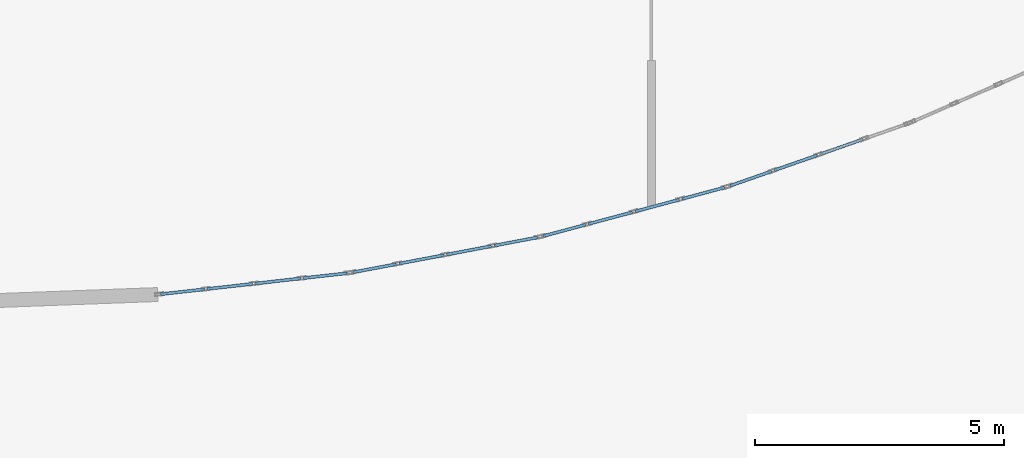
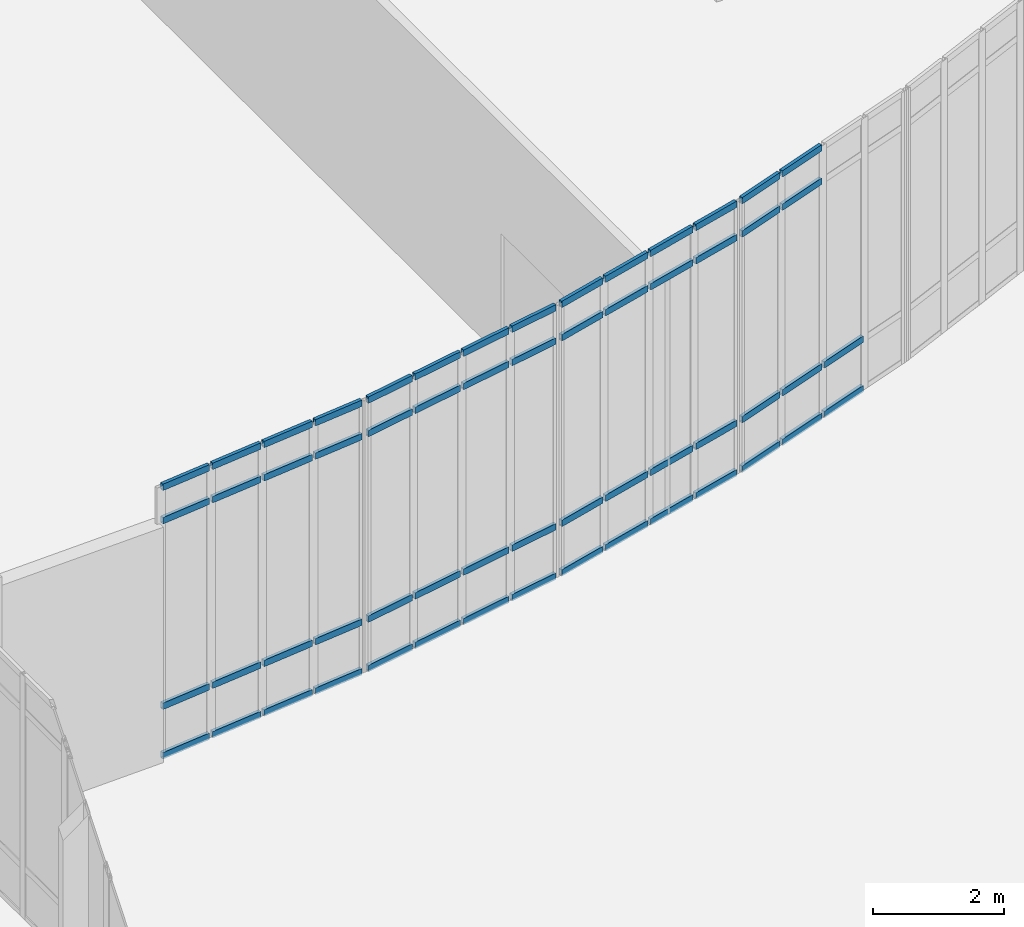
# One storey, part 68 of 110: 58 members, 4 elements without a shape of their own.
"""IFC4 building model written with IfcOpenShell, lengths in metres."""

from ifc_helpers import new_model, si_unit, direction, frame, origin, origin_2d, place, context, subcontext, project, spatial, hollow_rectangle, extrude, material, material_profile, profile_set, type_object, element, aggregate, save


model = new_model("IFC4")

# Units and contexts
model_context = context("Model", 3, precision=1e-05, world=origin(), true_north=direction((0.0, 1.0)))
body_context = subcontext(model_context, "Body", "Model", "MODEL_VIEW")
ifc_project = project(units=[si_unit("LENGTHUNIT", "METRE"), si_unit("AREAUNIT", "SQUARE_METRE"), si_unit("VOLUMEUNIT", "CUBIC_METRE"), si_unit("PLANEANGLEUNIT", "RADIAN"), si_unit("MASSUNIT", "GRAM", prefix="KILO")], contexts=[model_context])

# Site, building, storey
site_placement = place(None, origin())
site = spatial("IfcSite", under=ifc_project, at=site_placement, CompositionType="ELEMENT")
building_placement = place(site_placement, origin())
building = spatial("IfcBuilding", under=site, at=building_placement, Name="Kalluvel Institute of Natural Sciences", CompositionType="ELEMENT")
storey_placement = place(building_placement, origin())
storey = spatial("IfcBuildingStorey", under=building, at=storey_placement, Name="L00", CompositionType="ELEMENT", Elevation=0.0)

# Curtain wall, members
ifc_material = material(Name="Aluminium AW-6063 T6", Category="aluminium")
curtain_wall_type = type_object("IfcCurtainWallType", Name="CW-ATR-L00", PredefinedType="USERDEFINED", material=ifc_material)
curtain_wall_1_placement = place(storey_placement, origin())
curtain_wall_1 = element("IfcCurtainWall", 1, at=curtain_wall_1_placement, inside=storey, type_object=curtain_wall_type, Name="L00 Gothic lancet curtain wall CWA-L00-X395-Y509", ObjectType="UNITISED LANCET FACADE", PredefinedType="USERDEFINED")
ifc_material_profile = material_profile(ifc_material, hollow_rectangle(XDim=0.06005859375, YDim=0.1201171875, WallThickness=0.00390625, at=origin_2d()), Name="CWT 60x120")
ifc_profile_set = profile_set([ifc_material_profile], Name="Aluminium AW-6063 T6")
member_type = type_object("IfcMemberType", Name="CWT-60x120", PredefinedType="USERDEFINED", material=ifc_profile_set)
member_1_placement = place(storey_placement, frame((39.545654296875, 50.9521484375, 0.030029296875), z_axis=(0.99372747166, 0.1118289411, 0.0), x_axis=(-0.1118289411, 0.99372747166, 0.0)))
member_1 = element("IfcMember", 2, at=member_1_placement, type_object=member_type, Name="CW-06 transom 1.1", ObjectType="TRANSOM", PredefinedType="USERDEFINED", context=body_context, shape_type="SweptSolid", body=[
    extrude(hollow_rectangle(XDim=0.06005859375, YDim=0.1201171875, WallThickness=0.00390625, at=origin_2d()), origin(), (0.0, 0.0, 1.0), 0.882080078125),
])
member_2_placement = place(storey_placement, frame((39.545654296875, 50.9521484375, 0.949951171875), z_axis=(0.99372747166, 0.1118289411, 0.0), x_axis=(-0.1118289411, 0.99372747166, 0.0)))
member_2 = element("IfcMember", 3, at=member_2_placement, type_object=member_type, Name="CW-06 transom 1.2", ObjectType="TRANSOM", PredefinedType="USERDEFINED", context=body_context, shape_type="SweptSolid", body=[
    extrude(hollow_rectangle(XDim=0.06005859375, YDim=0.1201171875, WallThickness=0.00390625, at=origin_2d()), origin(), (0.0, 0.0, 1.0), 0.882080078125),
])
member_3_placement = place(storey_placement, frame((39.545654296875, 50.9521484375, 4.39990234375), z_axis=(0.99372747166, 0.1118289411, 0.0), x_axis=(-0.1118289411, 0.99372747166, 0.0)))
member_3 = element("IfcMember", 4, at=member_3_placement, type_object=member_type, Name="CW-06 transom 1.3", ObjectType="TRANSOM", PredefinedType="USERDEFINED", context=body_context, shape_type="SweptSolid", body=[
    extrude(hollow_rectangle(XDim=0.06005859375, YDim=0.1201171875, WallThickness=0.00390625, at=origin_2d()), origin(), (0.0, 0.0, 1.0), 0.882080078125),
])
member_4_placement = place(storey_placement, frame((39.545654296875, 50.9521484375, 5.02001953125), z_axis=(0.99372747166, 0.1118289411, 0.0), x_axis=(-0.1118289411, 0.99372747166, 0.0)))
member_4 = element("IfcMember", 5, at=member_4_placement, type_object=member_type, Name="CW-06 transom 1.4", ObjectType="TRANSOM", PredefinedType="USERDEFINED", context=body_context, shape_type="SweptSolid", body=[
    extrude(hollow_rectangle(XDim=0.06005859375, YDim=0.1201171875, WallThickness=0.00390625, at=origin_2d()), origin(), (0.0, 0.0, 1.0), 0.882080078125),
])
member_5_placement = place(storey_placement, frame((40.48193359375, 51.0576171875, 0.030029296875), z_axis=(0.993719414387, 0.111900515952, 0.0), x_axis=(-0.111900515952, 0.993719414387, 0.0)))
member_5 = element("IfcMember", 6, at=member_5_placement, type_object=member_type, Name="CW-06 transom 2.1", ObjectType="TRANSOM", PredefinedType="USERDEFINED", context=body_context, shape_type="SweptSolid", body=[
    extrude(hollow_rectangle(XDim=0.06005859375, YDim=0.1201171875, WallThickness=0.00390625, at=origin_2d()), origin(), (0.0, 0.0, 1.0), 0.911865234375),
])
member_6_placement = place(storey_placement, frame((40.48193359375, 51.0576171875, 0.949951171875), z_axis=(0.993719414387, 0.111900515952, 0.0), x_axis=(-0.111900515952, 0.993719414387, 0.0)))
member_6 = element("IfcMember", 7, at=member_6_placement, type_object=member_type, Name="CW-06 transom 2.2", ObjectType="TRANSOM", PredefinedType="USERDEFINED", context=body_context, shape_type="SweptSolid", body=[
    extrude(hollow_rectangle(XDim=0.06005859375, YDim=0.1201171875, WallThickness=0.00390625, at=origin_2d()), origin(), (0.0, 0.0, 1.0), 0.911865234375),
])
member_7_placement = place(storey_placement, frame((40.48193359375, 51.0576171875, 4.39990234375), z_axis=(0.993719414387, 0.111900515952, 0.0), x_axis=(-0.111900515952, 0.993719414387, 0.0)))
member_7 = element("IfcMember", 8, at=member_7_placement, type_object=member_type, Name="CW-06 transom 2.3", ObjectType="TRANSOM", PredefinedType="USERDEFINED", context=body_context, shape_type="SweptSolid", body=[
    extrude(hollow_rectangle(XDim=0.06005859375, YDim=0.1201171875, WallThickness=0.00390625, at=origin_2d()), origin(), (0.0, 0.0, 1.0), 0.911865234375),
])
member_8_placement = place(storey_placement, frame((40.48193359375, 51.0576171875, 5.02001953125), z_axis=(0.993719414387, 0.111900515952, 0.0), x_axis=(-0.111900515952, 0.993719414387, 0.0)))
member_8 = element("IfcMember", 9, at=member_8_placement, type_object=member_type, Name="CW-06 transom 2.4", ObjectType="TRANSOM", PredefinedType="USERDEFINED", context=body_context, shape_type="SweptSolid", body=[
    extrude(hollow_rectangle(XDim=0.06005859375, YDim=0.1201171875, WallThickness=0.00390625, at=origin_2d()), origin(), (0.0, 0.0, 1.0), 0.911865234375),
])
member_9_placement = place(storey_placement, frame((41.447998046875, 51.16650390625, 0.030029296875), z_axis=(0.993719414387, 0.111900515952, 0.0), x_axis=(-0.111900515952, 0.993719414387, 0.0)))
member_9 = element("IfcMember", 10, at=member_9_placement, type_object=member_type, Name="CW-06 transom 3.1", ObjectType="TRANSOM", PredefinedType="USERDEFINED", context=body_context, shape_type="SweptSolid", body=[
    extrude(hollow_rectangle(XDim=0.06005859375, YDim=0.1201171875, WallThickness=0.00390625, at=origin_2d()), origin(), (0.0, 0.0, 1.0), 0.911865234375),
])
member_10_placement = place(storey_placement, frame((41.447998046875, 51.16650390625, 0.949951171875), z_axis=(0.993719414387, 0.111900515952, 0.0), x_axis=(-0.111900515952, 0.993719414387, 0.0)))
member_10 = element("IfcMember", 11, at=member_10_placement, type_object=member_type, Name="CW-06 transom 3.2", ObjectType="TRANSOM", PredefinedType="USERDEFINED", context=body_context, shape_type="SweptSolid", body=[
    extrude(hollow_rectangle(XDim=0.06005859375, YDim=0.1201171875, WallThickness=0.00390625, at=origin_2d()), origin(), (0.0, 0.0, 1.0), 0.911865234375),
])
member_11_placement = place(storey_placement, frame((41.447998046875, 51.16650390625, 4.39990234375), z_axis=(0.993719414387, 0.111900515952, 0.0), x_axis=(-0.111900515952, 0.993719414387, 0.0)))
member_11 = element("IfcMember", 12, at=member_11_placement, type_object=member_type, Name="CW-06 transom 3.3", ObjectType="TRANSOM", PredefinedType="USERDEFINED", context=body_context, shape_type="SweptSolid", body=[
    extrude(hollow_rectangle(XDim=0.06005859375, YDim=0.1201171875, WallThickness=0.00390625, at=origin_2d()), origin(), (0.0, 0.0, 1.0), 0.911865234375),
])
member_12_placement = place(storey_placement, frame((41.447998046875, 51.16650390625, 5.02001953125), z_axis=(0.993719414387, 0.111900515952, 0.0), x_axis=(-0.111900515952, 0.993719414387, 0.0)))
member_12 = element("IfcMember", 13, at=member_12_placement, type_object=member_type, Name="CW-06 transom 3.4", ObjectType="TRANSOM", PredefinedType="USERDEFINED", context=body_context, shape_type="SweptSolid", body=[
    extrude(hollow_rectangle(XDim=0.06005859375, YDim=0.1201171875, WallThickness=0.00390625, at=origin_2d()), origin(), (0.0, 0.0, 1.0), 0.911865234375),
])
member_13_placement = place(storey_placement, frame((42.4140625, 51.275390625, 0.030029296875), z_axis=(0.99372747166, 0.1118289411, 0.0), x_axis=(-0.1118289411, 0.99372747166, 0.0)))
member_13 = element("IfcMember", 14, at=member_13_placement, type_object=member_type, Name="CW-06 transom 4.1", ObjectType="TRANSOM", PredefinedType="USERDEFINED", context=body_context, shape_type="SweptSolid", body=[
    extrude(hollow_rectangle(XDim=0.06005859375, YDim=0.1201171875, WallThickness=0.00390625, at=origin_2d()), origin(), (0.0, 0.0, 1.0), 0.882080078125),
])
member_14_placement = place(storey_placement, frame((42.4140625, 51.275390625, 0.949951171875), z_axis=(0.99372747166, 0.1118289411, 0.0), x_axis=(-0.1118289411, 0.99372747166, 0.0)))
member_14 = element("IfcMember", 15, at=member_14_placement, type_object=member_type, Name="CW-06 transom 4.2", ObjectType="TRANSOM", PredefinedType="USERDEFINED", context=body_context, shape_type="SweptSolid", body=[
    extrude(hollow_rectangle(XDim=0.06005859375, YDim=0.1201171875, WallThickness=0.00390625, at=origin_2d()), origin(), (0.0, 0.0, 1.0), 0.882080078125),
])
member_15_placement = place(storey_placement, frame((42.4140625, 51.275390625, 4.39990234375), z_axis=(0.99372747166, 0.1118289411, 0.0), x_axis=(-0.1118289411, 0.99372747166, 0.0)))
member_15 = element("IfcMember", 16, at=member_15_placement, type_object=member_type, Name="CW-06 transom 4.3", ObjectType="TRANSOM", PredefinedType="USERDEFINED", context=body_context, shape_type="SweptSolid", body=[
    extrude(hollow_rectangle(XDim=0.06005859375, YDim=0.1201171875, WallThickness=0.00390625, at=origin_2d()), origin(), (0.0, 0.0, 1.0), 0.882080078125),
])
member_16_placement = place(storey_placement, frame((42.4140625, 51.275390625, 5.02001953125), z_axis=(0.99372747166, 0.1118289411, 0.0), x_axis=(-0.1118289411, 0.99372747166, 0.0)))
member_16 = element("IfcMember", 17, at=member_16_placement, type_object=member_type, Name="CW-06 transom 4.4", ObjectType="TRANSOM", PredefinedType="USERDEFINED", context=body_context, shape_type="SweptSolid", body=[
    extrude(hollow_rectangle(XDim=0.06005859375, YDim=0.1201171875, WallThickness=0.00390625, at=origin_2d()), origin(), (0.0, 0.0, 1.0), 0.882080078125),
])
aggregate(curtain_wall_1, [member_1, member_2, member_3, member_4, member_5, member_6, member_7, member_8, member_9, member_10, member_11, member_12, member_13, member_14, member_15, member_16])

curtain_wall_2_placement = place(storey_placement, origin())
curtain_wall_2 = element("IfcCurtainWall", 18, at=curtain_wall_2_placement, inside=storey, type_object=curtain_wall_type, Name="L00 Gothic lancet curtain wall CWA-L00-X434-Y514", ObjectType="UNITISED LANCET FACADE", PredefinedType="USERDEFINED")
member_17_placement = place(storey_placement, frame((43.4091796875, 51.391845703125, 0.030029296875), z_axis=(0.982551112183, 0.185992773912, 0.0), x_axis=(-0.185992773912, 0.982551112183, 0.0)))
member_17 = element("IfcMember", 19, at=member_17_placement, type_object=member_type, Name="CW-06 transom 1.1", ObjectType="TRANSOM", PredefinedType="USERDEFINED", context=body_context, shape_type="SweptSolid", body=[
    extrude(hollow_rectangle(XDim=0.06005859375, YDim=0.1201171875, WallThickness=0.00390625, at=origin_2d()), origin(), (0.0, 0.0, 1.0), 0.882080078125),
])
member_18_placement = place(storey_placement, frame((43.4091796875, 51.391845703125, 0.949951171875), z_axis=(0.982551112183, 0.185992773912, 0.0), x_axis=(-0.185992773912, 0.982551112183, 0.0)))
member_18 = element("IfcMember", 20, at=member_18_placement, type_object=member_type, Name="CW-06 transom 1.2", ObjectType="TRANSOM", PredefinedType="USERDEFINED", context=body_context, shape_type="SweptSolid", body=[
    extrude(hollow_rectangle(XDim=0.06005859375, YDim=0.1201171875, WallThickness=0.00390625, at=origin_2d()), origin(), (0.0, 0.0, 1.0), 0.882080078125),
])
member_19_placement = place(storey_placement, frame((43.4091796875, 51.391845703125, 4.39990234375), z_axis=(0.982551112183, 0.185992773912, 0.0), x_axis=(-0.185992773912, 0.982551112183, 0.0)))
member_19 = element("IfcMember", 21, at=member_19_placement, type_object=member_type, Name="CW-06 transom 1.3", ObjectType="TRANSOM", PredefinedType="USERDEFINED", context=body_context, shape_type="SweptSolid", body=[
    extrude(hollow_rectangle(XDim=0.06005859375, YDim=0.1201171875, WallThickness=0.00390625, at=origin_2d()), origin(), (0.0, 0.0, 1.0), 0.882080078125),
])
member_20_placement = place(storey_placement, frame((43.4091796875, 51.391845703125, 5.02001953125), z_axis=(0.982551112183, 0.185992773912, 0.0), x_axis=(-0.185992773912, 0.982551112183, 0.0)))
member_20 = element("IfcMember", 22, at=member_20_placement, type_object=member_type, Name="CW-06 transom 1.4", ObjectType="TRANSOM", PredefinedType="USERDEFINED", context=body_context, shape_type="SweptSolid", body=[
    extrude(hollow_rectangle(XDim=0.06005859375, YDim=0.1201171875, WallThickness=0.00390625, at=origin_2d()), origin(), (0.0, 0.0, 1.0), 0.882080078125),
])
member_21_placement = place(storey_placement, frame((44.3349609375, 51.567138671875, 0.030029296875), z_axis=(0.982595342054, 0.185758966872, 0.0), x_axis=(-0.185758966872, 0.982595342054, 0.0)))
member_21 = element("IfcMember", 23, at=member_21_placement, type_object=member_type, Name="CW-06 transom 2.1", ObjectType="TRANSOM", PredefinedType="USERDEFINED", context=body_context, shape_type="SweptSolid", body=[
    extrude(hollow_rectangle(XDim=0.06005859375, YDim=0.1201171875, WallThickness=0.00390625, at=origin_2d()), origin(), (0.0, 0.0, 1.0), 0.912109375),
])
member_22_placement = place(storey_placement, frame((44.3349609375, 51.567138671875, 0.949951171875), z_axis=(0.982595342054, 0.185758966872, 0.0), x_axis=(-0.185758966872, 0.982595342054, 0.0)))
member_22 = element("IfcMember", 24, at=member_22_placement, type_object=member_type, Name="CW-06 transom 2.2", ObjectType="TRANSOM", PredefinedType="USERDEFINED", context=body_context, shape_type="SweptSolid", body=[
    extrude(hollow_rectangle(XDim=0.06005859375, YDim=0.1201171875, WallThickness=0.00390625, at=origin_2d()), origin(), (0.0, 0.0, 1.0), 0.912109375),
])
member_23_placement = place(storey_placement, frame((44.3349609375, 51.567138671875, 4.39990234375), z_axis=(0.982595342054, 0.185758966872, 0.0), x_axis=(-0.185758966872, 0.982595342054, 0.0)))
member_23 = element("IfcMember", 25, at=member_23_placement, type_object=member_type, Name="CW-06 transom 2.3", ObjectType="TRANSOM", PredefinedType="USERDEFINED", context=body_context, shape_type="SweptSolid", body=[
    extrude(hollow_rectangle(XDim=0.06005859375, YDim=0.1201171875, WallThickness=0.00390625, at=origin_2d()), origin(), (0.0, 0.0, 1.0), 0.912109375),
])
member_24_placement = place(storey_placement, frame((44.3349609375, 51.567138671875, 5.02001953125), z_axis=(0.982595342054, 0.185758966872, 0.0), x_axis=(-0.185758966872, 0.982595342054, 0.0)))
member_24 = element("IfcMember", 26, at=member_24_placement, type_object=member_type, Name="CW-06 transom 2.4", ObjectType="TRANSOM", PredefinedType="USERDEFINED", context=body_context, shape_type="SweptSolid", body=[
    extrude(hollow_rectangle(XDim=0.06005859375, YDim=0.1201171875, WallThickness=0.00390625, at=origin_2d()), origin(), (0.0, 0.0, 1.0), 0.912109375),
])
member_25_placement = place(storey_placement, frame((45.2900390625, 51.747802734375, 0.030029296875), z_axis=(0.982546454853, 0.18601737568, 0.0), x_axis=(-0.18601737568, 0.982546454853, 0.0)))
member_25 = element("IfcMember", 27, at=member_25_placement, type_object=member_type, Name="CW-06 transom 3.1", ObjectType="TRANSOM", PredefinedType="USERDEFINED", context=body_context, shape_type="SweptSolid", body=[
    extrude(hollow_rectangle(XDim=0.06005859375, YDim=0.1201171875, WallThickness=0.00390625, at=origin_2d()), origin(), (0.0, 0.0, 1.0), 0.912109375),
])
member_26_placement = place(storey_placement, frame((45.2900390625, 51.747802734375, 0.949951171875), z_axis=(0.982546454853, 0.18601737568, 0.0), x_axis=(-0.18601737568, 0.982546454853, 0.0)))
member_26 = element("IfcMember", 28, at=member_26_placement, type_object=member_type, Name="CW-06 transom 3.2", ObjectType="TRANSOM", PredefinedType="USERDEFINED", context=body_context, shape_type="SweptSolid", body=[
    extrude(hollow_rectangle(XDim=0.06005859375, YDim=0.1201171875, WallThickness=0.00390625, at=origin_2d()), origin(), (0.0, 0.0, 1.0), 0.912109375),
])
member_27_placement = place(storey_placement, frame((45.2900390625, 51.747802734375, 4.39990234375), z_axis=(0.982546454853, 0.18601737568, 0.0), x_axis=(-0.18601737568, 0.982546454853, 0.0)))
member_27 = element("IfcMember", 29, at=member_27_placement, type_object=member_type, Name="CW-06 transom 3.3", ObjectType="TRANSOM", PredefinedType="USERDEFINED", context=body_context, shape_type="SweptSolid", body=[
    extrude(hollow_rectangle(XDim=0.06005859375, YDim=0.1201171875, WallThickness=0.00390625, at=origin_2d()), origin(), (0.0, 0.0, 1.0), 0.912109375),
])
member_28_placement = place(storey_placement, frame((45.2900390625, 51.747802734375, 5.02001953125), z_axis=(0.982546454853, 0.18601737568, 0.0), x_axis=(-0.18601737568, 0.982546454853, 0.0)))
member_28 = element("IfcMember", 30, at=member_28_placement, type_object=member_type, Name="CW-06 transom 3.4", ObjectType="TRANSOM", PredefinedType="USERDEFINED", context=body_context, shape_type="SweptSolid", body=[
    extrude(hollow_rectangle(XDim=0.06005859375, YDim=0.1201171875, WallThickness=0.00390625, at=origin_2d()), origin(), (0.0, 0.0, 1.0), 0.912109375),
])
member_29_placement = place(storey_placement, frame((46.245361328125, 51.928466796875, 0.030029296875), z_axis=(0.982551112183, 0.185992773912, 0.0), x_axis=(-0.185992773912, 0.982551112183, 0.0)))
member_29 = element("IfcMember", 31, at=member_29_placement, type_object=member_type, Name="CW-06 transom 4.1", ObjectType="TRANSOM", PredefinedType="USERDEFINED", context=body_context, shape_type="SweptSolid", body=[
    extrude(hollow_rectangle(XDim=0.06005859375, YDim=0.1201171875, WallThickness=0.00390625, at=origin_2d()), origin(), (0.0, 0.0, 1.0), 0.882080078125),
])
member_30_placement = place(storey_placement, frame((46.245361328125, 51.928466796875, 0.949951171875), z_axis=(0.982551112183, 0.185992773912, 0.0), x_axis=(-0.185992773912, 0.982551112183, 0.0)))
member_30 = element("IfcMember", 32, at=member_30_placement, type_object=member_type, Name="CW-06 transom 4.2", ObjectType="TRANSOM", PredefinedType="USERDEFINED", context=body_context, shape_type="SweptSolid", body=[
    extrude(hollow_rectangle(XDim=0.06005859375, YDim=0.1201171875, WallThickness=0.00390625, at=origin_2d()), origin(), (0.0, 0.0, 1.0), 0.882080078125),
])
member_31_placement = place(storey_placement, frame((46.245361328125, 51.928466796875, 4.39990234375), z_axis=(0.982551112183, 0.185992773912, 0.0), x_axis=(-0.185992773912, 0.982551112183, 0.0)))
member_31 = element("IfcMember", 33, at=member_31_placement, type_object=member_type, Name="CW-06 transom 4.3", ObjectType="TRANSOM", PredefinedType="USERDEFINED", context=body_context, shape_type="SweptSolid", body=[
    extrude(hollow_rectangle(XDim=0.06005859375, YDim=0.1201171875, WallThickness=0.00390625, at=origin_2d()), origin(), (0.0, 0.0, 1.0), 0.882080078125),
])
member_32_placement = place(storey_placement, frame((46.245361328125, 51.928466796875, 5.02001953125), z_axis=(0.982551112183, 0.185992773912, 0.0), x_axis=(-0.185992773912, 0.982551112183, 0.0)))
member_32 = element("IfcMember", 34, at=member_32_placement, type_object=member_type, Name="CW-06 transom 4.4", ObjectType="TRANSOM", PredefinedType="USERDEFINED", context=body_context, shape_type="SweptSolid", body=[
    extrude(hollow_rectangle(XDim=0.06005859375, YDim=0.1201171875, WallThickness=0.00390625, at=origin_2d()), origin(), (0.0, 0.0, 1.0), 0.882080078125),
])
aggregate(curtain_wall_2, [member_17, member_18, member_19, member_20, member_21, member_22, member_23, member_24, member_25, member_26, member_27, member_28, member_29, member_30, member_31, member_32])

curtain_wall_3_placement = place(storey_placement, origin())
curtain_wall_3 = element("IfcCurtainWall", 35, at=curtain_wall_3_placement, inside=storey, type_object=curtain_wall_type, Name="L00 Gothic lancet curtain wall CWA-L00-X472-Y521", ObjectType="UNITISED LANCET FACADE", PredefinedType="USERDEFINED")
member_33_placement = place(storey_placement, frame((47.22900390625, 52.119140625, 0.030029296875), z_axis=(0.965866484652, 0.259040409637, 0.0), x_axis=(-0.259040409637, 0.965866484652, 0.0)))
member_33 = element("IfcMember", 36, at=member_33_placement, type_object=member_type, Name="CW-06 transom 1.1", ObjectType="TRANSOM", PredefinedType="USERDEFINED", context=body_context, shape_type="SweptSolid", body=[
    extrude(hollow_rectangle(XDim=0.06005859375, YDim=0.1201171875, WallThickness=0.00390625, at=origin_2d()), origin(), (0.0, 0.0, 1.0), 0.882080078125),
])
member_34_placement = place(storey_placement, frame((47.22900390625, 52.119140625, 0.949951171875), z_axis=(0.965866484652, 0.259040409637, 0.0), x_axis=(-0.259040409637, 0.965866484652, 0.0)))
member_34 = element("IfcMember", 37, at=member_34_placement, type_object=member_type, Name="CW-06 transom 1.2", ObjectType="TRANSOM", PredefinedType="USERDEFINED", context=body_context, shape_type="SweptSolid", body=[
    extrude(hollow_rectangle(XDim=0.06005859375, YDim=0.1201171875, WallThickness=0.00390625, at=origin_2d()), origin(), (0.0, 0.0, 1.0), 0.882080078125),
])
member_35_placement = place(storey_placement, frame((47.22900390625, 52.119140625, 4.39990234375), z_axis=(0.965866484652, 0.259040409637, 0.0), x_axis=(-0.259040409637, 0.965866484652, 0.0)))
member_35 = element("IfcMember", 38, at=member_35_placement, type_object=member_type, Name="CW-06 transom 1.3", ObjectType="TRANSOM", PredefinedType="USERDEFINED", context=body_context, shape_type="SweptSolid", body=[
    extrude(hollow_rectangle(XDim=0.06005859375, YDim=0.1201171875, WallThickness=0.00390625, at=origin_2d()), origin(), (0.0, 0.0, 1.0), 0.882080078125),
])
member_36_placement = place(storey_placement, frame((47.22900390625, 52.119140625, 5.02001953125), z_axis=(0.965866484652, 0.259040409637, 0.0), x_axis=(-0.259040409637, 0.965866484652, 0.0)))
member_36 = element("IfcMember", 39, at=member_36_placement, type_object=member_type, Name="CW-06 transom 1.4", ObjectType="TRANSOM", PredefinedType="USERDEFINED", context=body_context, shape_type="SweptSolid", body=[
    extrude(hollow_rectangle(XDim=0.06005859375, YDim=0.1201171875, WallThickness=0.00390625, at=origin_2d()), origin(), (0.0, 0.0, 1.0), 0.882080078125),
])
member_37_placement = place(storey_placement, frame((48.13916015625, 52.363037109375, 0.030029296875), z_axis=(0.965927742293, 0.258811894374, 0.0), x_axis=(-0.258811894374, 0.965927742293, 0.0)))
member_37 = element("IfcMember", 40, at=member_37_placement, type_object=member_type, Name="CW-06 transom 2.1", ObjectType="TRANSOM", PredefinedType="USERDEFINED", context=body_context, shape_type="SweptSolid", body=[
    extrude(hollow_rectangle(XDim=0.06005859375, YDim=0.1201171875, WallThickness=0.00390625, at=origin_2d()), origin(), (0.0, 0.0, 1.0), 0.912109375),
])
member_38_placement = place(storey_placement, frame((48.13916015625, 52.363037109375, 0.949951171875), z_axis=(0.965927742293, 0.258811894374, 0.0), x_axis=(-0.258811894374, 0.965927742293, 0.0)))
member_38 = element("IfcMember", 41, at=member_38_placement, type_object=member_type, Name="CW-06 transom 2.2", ObjectType="TRANSOM", PredefinedType="USERDEFINED", context=body_context, shape_type="SweptSolid", body=[
    extrude(hollow_rectangle(XDim=0.06005859375, YDim=0.1201171875, WallThickness=0.00390625, at=origin_2d()), origin(), (0.0, 0.0, 1.0), 0.912109375),
])
member_39_placement = place(storey_placement, frame((48.13916015625, 52.363037109375, 4.39990234375), z_axis=(0.965927742293, 0.258811894374, 0.0), x_axis=(-0.258811894374, 0.965927742293, 0.0)))
member_39 = element("IfcMember", 42, at=member_39_placement, type_object=member_type, Name="CW-06 transom 2.3", ObjectType="TRANSOM", PredefinedType="USERDEFINED", context=body_context, shape_type="SweptSolid", body=[
    extrude(hollow_rectangle(XDim=0.06005859375, YDim=0.1201171875, WallThickness=0.00390625, at=origin_2d()), origin(), (0.0, 0.0, 1.0), 0.912109375),
])
member_40_placement = place(storey_placement, frame((48.13916015625, 52.363037109375, 5.02001953125), z_axis=(0.965927742293, 0.258811894374, 0.0), x_axis=(-0.258811894374, 0.965927742293, 0.0)))
member_40 = element("IfcMember", 43, at=member_40_placement, type_object=member_type, Name="CW-06 transom 2.4", ObjectType="TRANSOM", PredefinedType="USERDEFINED", context=body_context, shape_type="SweptSolid", body=[
    extrude(hollow_rectangle(XDim=0.06005859375, YDim=0.1201171875, WallThickness=0.00390625, at=origin_2d()), origin(), (0.0, 0.0, 1.0), 0.912109375),
])
member_41_placement = place(storey_placement, frame((49.078125, 52.61474609375, 0.030029296875), z_axis=(0.965927742293, 0.258811894374, 0.0), x_axis=(-0.258811894374, 0.965927742293, 0.0)))
member_41 = element("IfcMember", 44, at=member_41_placement, type_object=member_type, Name="CW-06 transom 3.1", ObjectType="TRANSOM", PredefinedType="USERDEFINED", context=body_context, shape_type="SweptSolid", body=[
    extrude(hollow_rectangle(XDim=0.06005859375, YDim=0.1201171875, WallThickness=0.00390625, at=origin_2d()), origin(), (0.0, 0.0, 1.0), 0.912109375),
])
member_42_placement = place(storey_placement, frame((49.078125, 52.61474609375, 0.949951171875), z_axis=(0.965927742293, 0.258811894374, 0.0), x_axis=(-0.258811894374, 0.965927742293, 0.0)))
member_42 = element("IfcMember", 45, at=member_42_placement, type_object=member_type, Name="CW-06 transom 3.2", ObjectType="TRANSOM", PredefinedType="USERDEFINED", context=body_context, shape_type="SweptSolid", body=[
    extrude(hollow_rectangle(XDim=0.06005859375, YDim=0.1201171875, WallThickness=0.00390625, at=origin_2d()), origin(), (0.0, 0.0, 1.0), 0.912109375),
])
member_43_placement = place(storey_placement, frame((49.078125, 52.61474609375, 4.39990234375), z_axis=(0.965927742293, 0.258811894374, 0.0), x_axis=(-0.258811894374, 0.965927742293, 0.0)))
member_43 = element("IfcMember", 46, at=member_43_placement, type_object=member_type, Name="CW-06 transom 3.3", ObjectType="TRANSOM", PredefinedType="USERDEFINED", context=body_context, shape_type="SweptSolid", body=[
    extrude(hollow_rectangle(XDim=0.06005859375, YDim=0.1201171875, WallThickness=0.00390625, at=origin_2d()), origin(), (0.0, 0.0, 1.0), 0.912109375),
])
member_44_placement = place(storey_placement, frame((49.078125, 52.61474609375, 5.02001953125), z_axis=(0.965927742293, 0.258811894374, 0.0), x_axis=(-0.258811894374, 0.965927742293, 0.0)))
member_44 = element("IfcMember", 47, at=member_44_placement, type_object=member_type, Name="CW-06 transom 3.4", ObjectType="TRANSOM", PredefinedType="USERDEFINED", context=body_context, shape_type="SweptSolid", body=[
    extrude(hollow_rectangle(XDim=0.06005859375, YDim=0.1201171875, WallThickness=0.00390625, at=origin_2d()), origin(), (0.0, 0.0, 1.0), 0.912109375),
])
member_45_placement = place(storey_placement, frame((50.017333984375, 52.866455078125, 0.030029296875), z_axis=(0.965935698168, 0.258782199939, 0.0), x_axis=(-0.258782199939, 0.965935698168, 0.0)))
member_45 = element("IfcMember", 48, at=member_45_placement, type_object=member_type, Name="CW-06 transom 4.1", ObjectType="TRANSOM", PredefinedType="USERDEFINED", context=body_context, shape_type="SweptSolid", body=[
    extrude(hollow_rectangle(XDim=0.06005859375, YDim=0.1201171875, WallThickness=0.00390625, at=origin_2d()), origin(), (0.0, 0.0, 1.0), 0.882080078125),
])
member_46_placement = place(storey_placement, frame((50.017333984375, 52.866455078125, 0.949951171875), z_axis=(0.965935698168, 0.258782199939, 0.0), x_axis=(-0.258782199939, 0.965935698168, 0.0)))
member_46 = element("IfcMember", 49, at=member_46_placement, type_object=member_type, Name="CW-06 transom 4.2", ObjectType="TRANSOM", PredefinedType="USERDEFINED", context=body_context, shape_type="SweptSolid", body=[
    extrude(hollow_rectangle(XDim=0.06005859375, YDim=0.1201171875, WallThickness=0.00390625, at=origin_2d()), origin(), (0.0, 0.0, 1.0), 0.882080078125),
])
member_47_placement = place(storey_placement, frame((50.017333984375, 52.866455078125, 4.39990234375), z_axis=(0.965935698168, 0.258782199939, 0.0), x_axis=(-0.258782199939, 0.965935698168, 0.0)))
member_47 = element("IfcMember", 50, at=member_47_placement, type_object=member_type, Name="CW-06 transom 4.3", ObjectType="TRANSOM", PredefinedType="USERDEFINED", context=body_context, shape_type="SweptSolid", body=[
    extrude(hollow_rectangle(XDim=0.06005859375, YDim=0.1201171875, WallThickness=0.00390625, at=origin_2d()), origin(), (0.0, 0.0, 1.0), 0.882080078125),
])
member_48_placement = place(storey_placement, frame((50.017333984375, 52.866455078125, 5.02001953125), z_axis=(0.965935698168, 0.258782199939, 0.0), x_axis=(-0.258782199939, 0.965935698168, 0.0)))
member_48 = element("IfcMember", 51, at=member_48_placement, type_object=member_type, Name="CW-06 transom 4.4", ObjectType="TRANSOM", PredefinedType="USERDEFINED", context=body_context, shape_type="SweptSolid", body=[
    extrude(hollow_rectangle(XDim=0.06005859375, YDim=0.1201171875, WallThickness=0.00390625, at=origin_2d()), origin(), (0.0, 0.0, 1.0), 0.882080078125),
])
aggregate(curtain_wall_3, [member_33, member_34, member_35, member_36, member_37, member_38, member_39, member_40, member_41, member_42, member_43, member_44, member_45, member_46, member_47, member_48])

curtain_wall_4_placement = place(storey_placement, origin())
curtain_wall_4 = element("IfcCurtainWall", 52, at=curtain_wall_4_placement, inside=storey, type_object=curtain_wall_type, Name="L00 Gothic lancet curtain wall CWA-L00-X509-Y531", ObjectType="UNITISED LANCET FACADE", PredefinedType="USERDEFINED")
member_49_placement = place(storey_placement, frame((50.98388671875, 53.130126953125, 0.030029296875), z_axis=(0.943931676238, 0.330140864776, 0.0), x_axis=(-0.330140864776, 0.943931676238, 0.0)))
member_49 = element("IfcMember", 53, at=member_49_placement, type_object=member_type, Name="CW-06 transom 1.1", ObjectType="TRANSOM", PredefinedType="USERDEFINED", context=body_context, shape_type="SweptSolid", body=[
    extrude(hollow_rectangle(XDim=0.06005859375, YDim=0.1201171875, WallThickness=0.00390625, at=origin_2d()), origin(), (0.0, 0.0, 1.0), 0.88232421875),
])
member_50_placement = place(storey_placement, frame((50.98388671875, 53.130126953125, 0.949951171875), z_axis=(0.943931676238, 0.330140864776, 0.0), x_axis=(-0.330140864776, 0.943931676238, 0.0)))
member_50 = element("IfcMember", 54, at=member_50_placement, type_object=member_type, Name="CW-06 transom 1.2", ObjectType="TRANSOM", PredefinedType="USERDEFINED", context=body_context, shape_type="SweptSolid", body=[
    extrude(hollow_rectangle(XDim=0.06005859375, YDim=0.1201171875, WallThickness=0.00390625, at=origin_2d()), origin(), (0.0, 0.0, 1.0), 0.88232421875),
])
member_51_placement = place(storey_placement, frame((50.98388671875, 53.130126953125, 4.39990234375), z_axis=(0.943931676238, 0.330140864776, 0.0), x_axis=(-0.330140864776, 0.943931676238, 0.0)))
member_51 = element("IfcMember", 55, at=member_51_placement, type_object=member_type, Name="CW-06 transom 1.3", ObjectType="TRANSOM", PredefinedType="USERDEFINED", context=body_context, shape_type="SweptSolid", body=[
    extrude(hollow_rectangle(XDim=0.06005859375, YDim=0.1201171875, WallThickness=0.00390625, at=origin_2d()), origin(), (0.0, 0.0, 1.0), 0.88232421875),
])
member_52_placement = place(storey_placement, frame((50.98388671875, 53.130126953125, 5.02001953125), z_axis=(0.943931676238, 0.330140864776, 0.0), x_axis=(-0.330140864776, 0.943931676238, 0.0)))
member_52 = element("IfcMember", 56, at=member_52_placement, type_object=member_type, Name="CW-06 transom 1.4", ObjectType="TRANSOM", PredefinedType="USERDEFINED", context=body_context, shape_type="SweptSolid", body=[
    extrude(hollow_rectangle(XDim=0.06005859375, YDim=0.1201171875, WallThickness=0.00390625, at=origin_2d()), origin(), (0.0, 0.0, 1.0), 0.88232421875),
])
member_53_placement = place(storey_placement, frame((51.873291015625, 53.441162109375, 0.030029296875), z_axis=(0.943866702673, 0.330326577169, 0.0), x_axis=(-0.330326577169, 0.943866702673, 0.0)))
member_53 = element("IfcMember", 57, at=member_53_placement, type_object=member_type, Name="CW-06 transom 2.1", ObjectType="TRANSOM", PredefinedType="USERDEFINED", context=body_context, shape_type="SweptSolid", body=[
    extrude(hollow_rectangle(XDim=0.06005859375, YDim=0.1201171875, WallThickness=0.00390625, at=origin_2d()), origin(), (0.0, 0.0, 1.0), 0.912109375),
])
member_54_placement = place(storey_placement, frame((51.873291015625, 53.441162109375, 0.949951171875), z_axis=(0.943866702673, 0.330326577169, 0.0), x_axis=(-0.330326577169, 0.943866702673, 0.0)))
member_54 = element("IfcMember", 58, at=member_54_placement, type_object=member_type, Name="CW-06 transom 2.2", ObjectType="TRANSOM", PredefinedType="USERDEFINED", context=body_context, shape_type="SweptSolid", body=[
    extrude(hollow_rectangle(XDim=0.06005859375, YDim=0.1201171875, WallThickness=0.00390625, at=origin_2d()), origin(), (0.0, 0.0, 1.0), 0.912109375),
])
member_55_placement = place(storey_placement, frame((51.873291015625, 53.441162109375, 4.39990234375), z_axis=(0.943866702673, 0.330326577169, 0.0), x_axis=(-0.330326577169, 0.943866702673, 0.0)))
member_55 = element("IfcMember", 59, at=member_55_placement, type_object=member_type, Name="CW-06 transom 2.3", ObjectType="TRANSOM", PredefinedType="USERDEFINED", context=body_context, shape_type="SweptSolid", body=[
    extrude(hollow_rectangle(XDim=0.06005859375, YDim=0.1201171875, WallThickness=0.00390625, at=origin_2d()), origin(), (0.0, 0.0, 1.0), 0.912109375),
])
member_56_placement = place(storey_placement, frame((51.873291015625, 53.441162109375, 5.02001953125), z_axis=(0.943866702673, 0.330326577169, 0.0), x_axis=(-0.330326577169, 0.943866702673, 0.0)))
member_56 = element("IfcMember", 60, at=member_56_placement, type_object=member_type, Name="CW-06 transom 2.4", ObjectType="TRANSOM", PredefinedType="USERDEFINED", context=body_context, shape_type="SweptSolid", body=[
    extrude(hollow_rectangle(XDim=0.06005859375, YDim=0.1201171875, WallThickness=0.00390625, at=origin_2d()), origin(), (0.0, 0.0, 1.0), 0.912109375),
])
member_57_placement = place(storey_placement, frame((52.790771484375, 53.76220703125, 0.030029296875), z_axis=(0.94389590052, 0.330243136161, 0.0), x_axis=(-0.330243136161, 0.94389590052, 0.0)))
member_57 = element("IfcMember", 61, at=member_57_placement, type_object=member_type, Name="CW-06 transom 3.1", ObjectType="TRANSOM", PredefinedType="USERDEFINED", context=body_context, shape_type="SweptSolid", body=[
    extrude(hollow_rectangle(XDim=0.06005859375, YDim=0.1201171875, WallThickness=0.00390625, at=origin_2d()), origin(), (0.0, 0.0, 1.0), 0.912353515625),
])
member_58_placement = place(storey_placement, frame((52.790771484375, 53.76220703125, 0.949951171875), z_axis=(0.94389590052, 0.330243136161, 0.0), x_axis=(-0.330243136161, 0.94389590052, 0.0)))
member_58 = element("IfcMember", 62, at=member_58_placement, type_object=member_type, Name="CW-06 transom 3.2", ObjectType="TRANSOM", PredefinedType="USERDEFINED", context=body_context, shape_type="SweptSolid", body=[
    extrude(hollow_rectangle(XDim=0.06005859375, YDim=0.1201171875, WallThickness=0.00390625, at=origin_2d()), origin(), (0.0, 0.0, 1.0), 0.912353515625),
])
aggregate(curtain_wall_4, [member_49, member_50, member_51, member_52, member_53, member_54, member_55, member_56, member_57, member_58])

save(model, "model.ifc")
